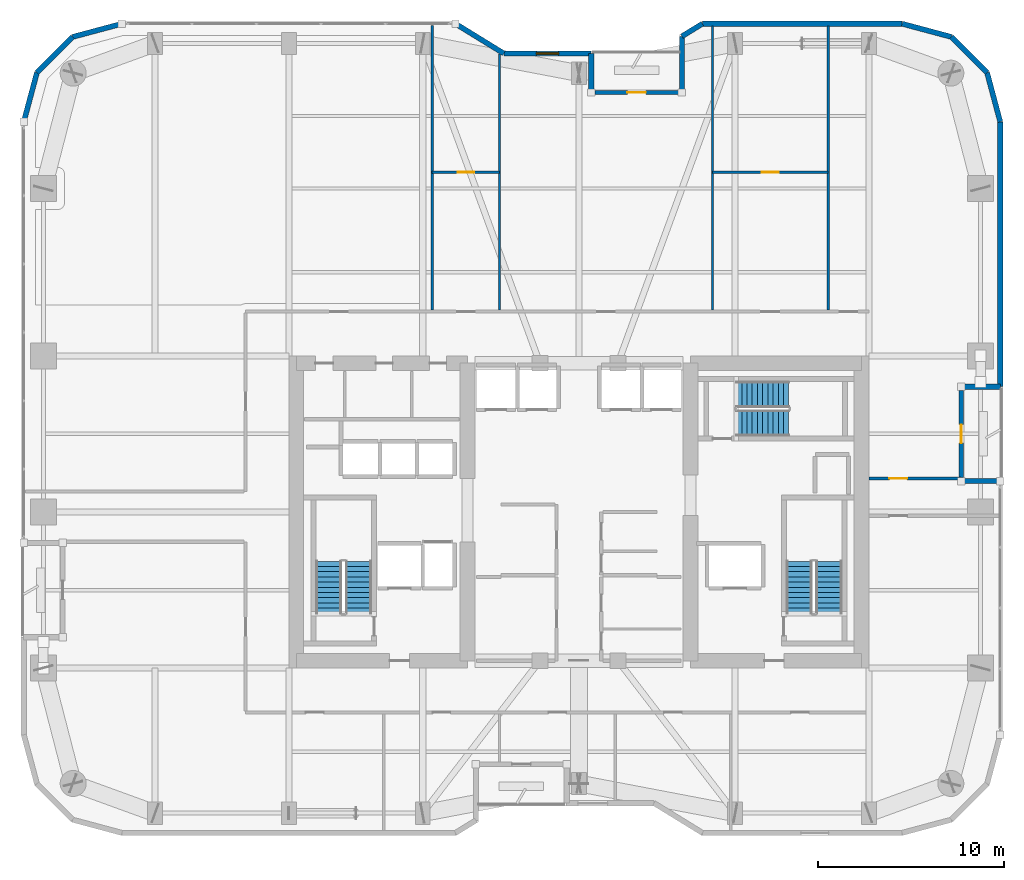
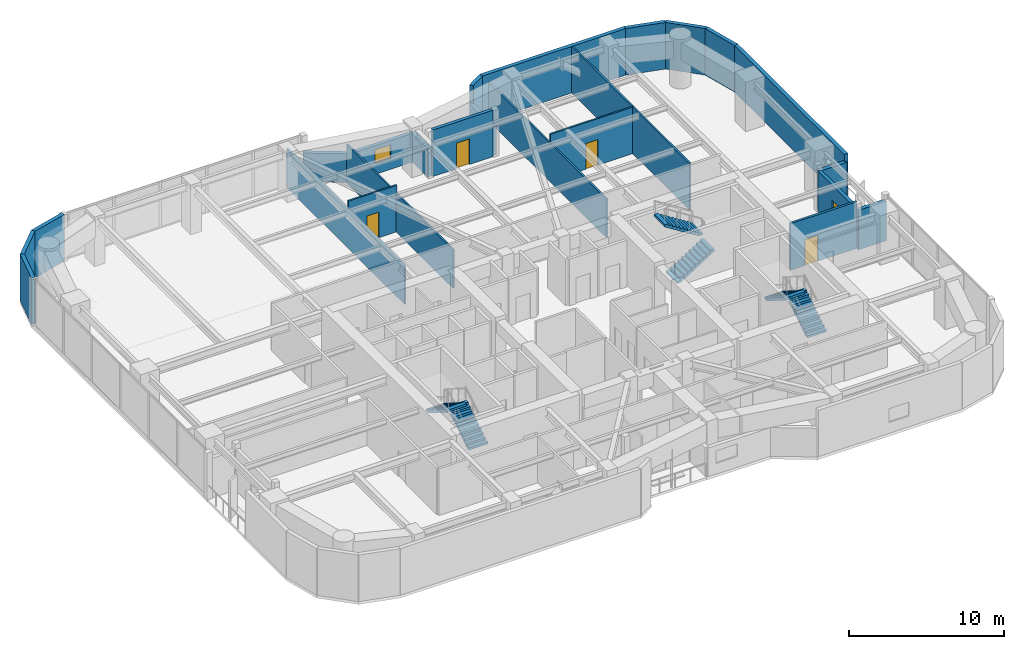
# One storey, part 27 of 30: 24 walls, 6 stair flights, 5 doors, 1 window, 6 openings, 3 elements without a shape of their own.
"""IFC4 building model written with IfcOpenShell, lengths in metres."""

from ifc_helpers import new_model, si_unit, direction, frame, frame_2d, origin, place, context, subcontext, project, spatial, polyline, rectangle, outline, extrude, material, layer, layer_set, type_object, element, fill, aggregate, save


model = new_model("IFC4")

# Units and contexts
model_context = context("Model", 3, precision=1e-05, world=origin(), true_north=direction((0.0, 1.0)))
body_context = subcontext(model_context, "Body", "Model", "MODEL_VIEW")
ifc_project = project(units=[si_unit("LENGTHUNIT", "METRE"), si_unit("AREAUNIT", "SQUARE_METRE"), si_unit("VOLUMEUNIT", "CUBIC_METRE"), si_unit("PLANEANGLEUNIT", "RADIAN"), si_unit("MASSUNIT", "GRAM", prefix="KILO")], contexts=[model_context])

# Site, building, storey
site_placement = place(None, origin())
site = spatial("IfcSite", under=ifc_project, at=site_placement, CompositionType="ELEMENT")
building_placement = place(site_placement, origin())
building = spatial("IfcBuilding", under=site, at=building_placement, Name="Kiyonajd Concourse Tower", CompositionType="ELEMENT")
storey_placement = place(building_placement, frame((0.0, 0.0, 150.60009765625)))
storey = spatial("IfcBuildingStorey", under=building, at=storey_placement, Name="L38", CompositionType="ELEMENT", Elevation=150.60009765625)

# Walls
ifc_material_1 = material(Name="Precast concrete C50/60", Category="concrete")
ifc_layer_1 = layer(ifc_material_1, 0.280029296875)
ifc_layer_set_1 = layer_set([ifc_layer_1], Name="Precast concrete C50/60")
wall_type_1 = type_object("IfcWallType", Name="WL-EXT-280", PredefinedType="SOLIDWALL", material=ifc_layer_set_1)
wall_1_placement = place(storey_placement, frame((18.139892578125, 56.981689453125, 0.0), z_axis=(0.0, 0.0, 1.0), x_axis=(0.258672222976, 0.9659651552, 0.0)))
element("IfcWall", 1, at=wall_1_placement, inside=storey, type_object=wall_type_1, Name="L38 Exterior Concrete Frame Wall 06", PredefinedType="SOLIDWALL", context=body_context, shape_type="SweptSolid", body=[
    extrude(rectangle(XDim=2.739013671875, YDim=0.280029296875, at=frame_2d((1.36962890625, 0.0))), origin(), (0.0, 0.0, 1.0), 3.679931640625),
])
wall_2_placement = place(storey_placement, frame((18.848388671875, 59.62744140625, 0.0), z_axis=(0.0, 0.0, 1.0), x_axis=(0.707106781187, 0.707106781187, 0.0)))
element("IfcWall", 2, at=wall_2_placement, inside=storey, type_object=wall_type_1, Name="L38 Exterior Concrete Frame Wall 07", PredefinedType="SOLIDWALL", context=body_context, shape_type="SweptSolid", body=[
    extrude(rectangle(XDim=2.720947265625, YDim=0.280029296875, at=frame_2d((1.3603515625, 0.0))), origin(), (0.0, 0.0, 1.0), 3.679931640625),
])
wall_3_placement = place(storey_placement, frame((20.7724609375, 61.551513671875, 0.0), z_axis=(0.0, 0.0, 1.0), x_axis=(0.965971118627, 0.258649952598, 0.0)))
element("IfcWall", 3, at=wall_3_placement, inside=storey, type_object=wall_type_1, Name="L38 Exterior Concrete Frame Wall 08", PredefinedType="SOLIDWALL", context=body_context, shape_type="SweptSolid", body=[
    extrude(rectangle(XDim=2.7392578125, YDim=0.280029296875, at=frame_2d((1.36962890625, 0.0))), origin(), (0.0, 0.0, 1.0), 3.679931640625),
])
wall_4_placement = place(storey_placement, frame((41.3603515625, 62.260009765625, 0.0), z_axis=(0.0, 0.0, 1.0), x_axis=(0.851652825334, -0.524106349037, 0.0)))
element("IfcWall", 4, at=wall_4_placement, inside=storey, type_object=wall_type_1, Name="L38 Exterior Concrete Frame Wall 10", PredefinedType="SOLIDWALL", context=body_context, shape_type="SweptSolid", body=[
    extrude(rectangle(XDim=3.052978515625, YDim=0.280029296875, at=frame_2d((1.5263671875, 0.0))), origin(), (0.0, 0.0, 1.0), 2.264892578125),
])

# Wall, opening, window
wall_5_placement = place(storey_placement, frame((43.96044921875, 60.659912109375, 0.0), z_axis=(0.0, 0.0, 1.0), x_axis=(1.0, 0.0, 0.0)))
wall_5 = element("IfcWall", 5, at=wall_5_placement, inside=storey, type_object=wall_type_1, Name="L38 Exterior Concrete Frame Wall 11", PredefinedType="SOLIDWALL", context=body_context, shape_type="SweptSolid", body=[
    extrude(rectangle(XDim=4.699462890625, YDim=0.280029296875, at=frame_2d((2.349609375, 0.0))), origin(), (0.0, 0.0, 1.0), 2.264892578125),
])
opening_1_placement = place(wall_5_placement, frame((1.75, 0.0, 0.85009765625)))
opening_1 = element("IfcOpeningElement", 6, at=opening_1_placement, cuts=wall_5, Name="Opening WN3", PredefinedType="OPENING", context=body_context, shape_type="SweptSolid", body=[
    extrude(rectangle(XDim=1.199951171875, YDim=1.10009765625, at=frame_2d((0.60009765625, 0.550048828125))), frame((0.0, 0.14990234375, 0.0), z_axis=(0.0, -1.0, 0.0), x_axis=(1.0, 0.0, 0.0)), (0.0, 0.0, 1.0), 0.300048828125),
])
ifc_material_2 = material(Name="Double Low-E Insulated Glass", Category="glass")
window_type = type_object("IfcWindowType", Name="WN-VIS-1200x1100", PartitioningType="SINGLE_PANEL", PredefinedType="WINDOW", material=ifc_material_2)
window_placement = place(opening_1_placement, origin())
window = element("IfcWindow", 7, at=window_placement, inside=storey, type_object=window_type, Name="L38 Modular Facade Vision Window 11", OverallHeight=1.10009765625, OverallWidth=1.199951171875, PartitioningType="SINGLE_PANEL", PredefinedType="WINDOW", context=body_context, shape_type="SweptSolid", body=[
    extrude(rectangle(XDim=1.199951171875, YDim=1.10009765625, at=frame_2d((0.60009765625, 0.550048828125))), frame((0.0, 0.030029296875, 0.0), z_axis=(0.0, -1.0, 0.0), x_axis=(1.0, 0.0, 0.0)), (0.0, 0.0, 1.0), 0.06005859375),
])
fill(opening_1, window)

# Walls
wall_6_placement = place(storey_placement, frame((48.659912109375, 60.659912109375, 0.0), z_axis=(0.0, 0.0, 1.0), x_axis=(0.0, -1.0, 0.0)))
element("IfcWall", 8, at=wall_6_placement, inside=storey, type_object=wall_type_1, Name="L38 Exterior Concrete Frame Wall 12", PredefinedType="SOLIDWALL", context=body_context, shape_type="SweptSolid", body=[
    extrude(rectangle(XDim=2.099853515625, YDim=0.280029296875, at=frame_2d((1.0498046875, 0.0))), origin(), (0.0, 0.0, 1.0), 2.264892578125),
])
wall_7_placement = place(storey_placement, frame((53.5400390625, 58.56005859375, 0.0), z_axis=(0.0, 0.0, 1.0), x_axis=(0.0, 1.0, 0.0)))
element("IfcWall", 9, at=wall_7_placement, inside=storey, type_object=wall_type_1, Name="L38 Exterior Concrete Frame Wall 14", PredefinedType="SOLIDWALL", context=body_context, shape_type="SweptSolid", body=[
    extrude(rectangle(XDim=3.023681640625, YDim=0.280029296875, at=frame_2d((1.51171875, 0.0))), origin(), (0.0, 0.0, 1.0), 2.264892578125),
])
wall_8_placement = place(storey_placement, frame((53.5400390625, 61.583740234375, 0.0), z_axis=(0.0, 0.0, 1.0), x_axis=(0.851801140441, 0.523865266212, 0.0)))
element("IfcWall", 10, at=wall_8_placement, inside=storey, type_object=wall_type_1, Name="L38 Exterior Concrete Frame Wall 15", PredefinedType="SOLIDWALL", context=body_context, shape_type="SweptSolid", body=[
    extrude(rectangle(XDim=1.291015625, YDim=0.280029296875, at=frame_2d((0.6455078125, 0.0))), origin(), (0.0, 0.0, 1.0), 3.679931640625),
])
wall_9_placement = place(storey_placement, frame((54.6396484375, 62.260009765625, 0.0), z_axis=(0.0, 0.0, 1.0), x_axis=(1.0, 0.0, 0.0)))
element("IfcWall", 11, at=wall_9_placement, inside=storey, type_object=wall_type_1, Name="L38 Exterior Concrete Frame Wall 16", PredefinedType="SOLIDWALL", context=body_context, shape_type="SweptSolid", body=[
    extrude(rectangle(XDim=10.741943359375, YDim=0.280029296875, at=frame_2d((5.37109375, 0.0))), origin(), (0.0, 0.0, 1.0), 3.679931640625),
])
wall_10_placement = place(storey_placement, frame((65.381591796875, 62.260009765625, 0.0), z_axis=(0.0, 0.0, 1.0), x_axis=(0.965971118627, -0.258649952598, 0.0)))
element("IfcWall", 12, at=wall_10_placement, inside=storey, type_object=wall_type_1, Name="L38 Exterior Concrete Frame Wall 17", PredefinedType="SOLIDWALL", context=body_context, shape_type="SweptSolid", body=[
    extrude(rectangle(XDim=2.7392578125, YDim=0.280029296875, at=frame_2d((1.36962890625, 0.0))), origin(), (0.0, 0.0, 1.0), 3.679931640625),
])
wall_11_placement = place(storey_placement, frame((68.027587890625, 61.551513671875, 0.0), z_axis=(0.0, 0.0, 1.0), x_axis=(0.707061915429, -0.707151644098, 0.0)))
element("IfcWall", 13, at=wall_11_placement, inside=storey, type_object=wall_type_1, Name="L38 Exterior Concrete Frame Wall 18", PredefinedType="SOLIDWALL", context=body_context, shape_type="SweptSolid", body=[
    extrude(rectangle(XDim=2.720947265625, YDim=0.280029296875, at=frame_2d((1.3603515625, 0.0))), origin(), (0.0, 0.0, 1.0), 3.679931640625),
])
wall_12_placement = place(storey_placement, frame((69.951416015625, 59.62744140625, 0.0), z_axis=(0.0, 0.0, 1.0), x_axis=(0.258672222976, -0.9659651552, 0.0)))
element("IfcWall", 14, at=wall_12_placement, inside=storey, type_object=wall_type_1, Name="L38 Exterior Concrete Frame Wall 19", PredefinedType="SOLIDWALL", context=body_context, shape_type="SweptSolid", body=[
    extrude(rectangle(XDim=2.739013671875, YDim=0.280029296875, at=frame_2d((1.36962890625, 0.0))), origin(), (0.0, 0.0, 1.0), 3.679931640625),
])
wall_13_placement = place(storey_placement, frame((70.659912109375, 56.981689453125, 0.0), z_axis=(0.0, 0.0, 1.0), x_axis=(0.0, -1.0, 0.0)))
element("IfcWall", 15, at=wall_13_placement, inside=storey, type_object=wall_type_1, Name="L38 Exterior Concrete Frame Wall 20", PredefinedType="SOLIDWALL", context=body_context, shape_type="SweptSolid", body=[
    extrude(rectangle(XDim=14.24169921875, YDim=0.280029296875, at=frame_2d((7.120849609375, 0.0))), origin(), (0.0, 0.0, 1.0), 3.679931640625),
])
for number, where, z_axis, x_axis, name in (
    (16, (70.659912109375, 42.739990234375, 0.0), (0.0, 0.0, 1.0), (-1.0, 0.0, 0.0), "L38 Exterior Concrete Frame Wall 21"),
    (17, (68.56005859375, 37.659912109375, 0.0), (0.0, 0.0, 1.0), (1.0, 0.0, 0.0), "L38 Exterior Concrete Frame Wall 23"),
):
    element("IfcWall", number, at=place(storey_placement, frame(where, z_axis=z_axis, x_axis=x_axis)), inside=storey, type_object=wall_type_1, Name=name, PredefinedType="SOLIDWALL", context=body_context, shape_type="SweptSolid", body=[
        extrude(rectangle(XDim=2.099853515625, YDim=0.280029296875, at=frame_2d((1.0498046875, 0.0))), origin(), (0.0, 0.0, 1.0), 3.115966796875),
    ])

# Wall, opening, door
ifc_layer_2 = layer(ifc_material_1, 0.239990234375)
ifc_layer_set_2 = layer_set([ifc_layer_2], Name="Precast concrete C50/60")
wall_type_2 = type_object("IfcWallType", Name="WL-LOG-240", PredefinedType="SOLIDWALL", material=ifc_layer_set_2)
wall_14_placement = place(storey_placement, frame((48.85498046875, 58.56005859375, 0.0), z_axis=(0.0, 0.0, 1.0), x_axis=(1.0, 0.0, 0.0)))
wall_14 = element("IfcWall", 18, at=wall_14_placement, inside=storey, type_object=wall_type_2, Name="L38 Recessed Loggia Thermal Wall LOG-N", PredefinedType="SOLIDWALL", context=body_context, shape_type="SweptSolid", body=[
    extrude(rectangle(XDim=4.489990234375, YDim=0.239990234375, at=frame_2d((2.2451171875, 0.0))), origin(), (0.0, 0.0, 1.0), 3.679931640625),
])
opening_2_placement = place(wall_14_placement, frame((1.7451171875, 0.0, 0.0)))
opening_2 = element("IfcOpeningElement", 19, at=opening_2_placement, cuts=wall_14, Name="Opening DL1", PredefinedType="OPENING", context=body_context, shape_type="SweptSolid", body=[
    extrude(rectangle(XDim=1.0, YDim=2.02001953125, at=frame_2d((0.5, 1.010009765625))), frame((0.0, 0.1298828125, 0.0), z_axis=(0.0, -1.0, 0.0), x_axis=(1.0, 0.0, 0.0)), (0.0, 0.0, 1.0), 0.260009765625),
])
ifc_material_3 = material(Name="Thermally Broken Anodised Aluminium", Category="aluminium")
door_type_1 = type_object("IfcDoorType", Name="DR-LOG-1000", OperationType="NOTDEFINED", PredefinedType="DOOR", material=ifc_material_3)
door_1_placement = place(opening_2_placement, origin())
door_1 = element("IfcDoor", 20, at=door_1_placement, inside=storey, type_object=door_type_1, Name="L38 Engawa Loggia Access Door LOG-N", OperationType="SINGLE_SWING_RIGHT", OverallHeight=2.02001953125, OverallWidth=1.0, PredefinedType="DOOR", context=body_context, shape_type="SweptSolid", body=[
    extrude(rectangle(XDim=1.0, YDim=2.02001953125, at=frame_2d((0.5, 1.010009765625))), frame((0.0, 0.02490234375, 0.0), z_axis=(0.0, -1.0, 0.0), x_axis=(1.0, 0.0, 0.0)), (0.0, 0.0, 1.0), 0.050048828125),
])
fill(opening_2, door_1)

wall_15_placement = place(storey_placement, frame((68.56005859375, 42.544921875, 0.0), z_axis=(0.0, 0.0, 1.0), x_axis=(0.0, -1.0, 0.0)))
wall_15 = element("IfcWall", 21, at=wall_15_placement, inside=storey, type_object=wall_type_2, Name="L38 Recessed Loggia Thermal Wall LOG-E", PredefinedType="SOLIDWALL", context=body_context, shape_type="SweptSolid", body=[
    extrude(rectangle(XDim=4.68994140625, YDim=0.239990234375, at=frame_2d((2.344970703125, 0.0))), origin(), (0.0, 0.0, 1.0), 3.247802734375),
])
opening_3_placement = place(wall_15_placement, frame((1.844970703125, 0.0, 0.0)))
opening_3 = element("IfcOpeningElement", 22, at=opening_3_placement, cuts=wall_15, Name="Opening DL1", PredefinedType="OPENING", context=body_context, shape_type="SweptSolid", body=[
    extrude(rectangle(XDim=1.0, YDim=2.02001953125, at=frame_2d((0.5, 1.010009765625))), frame((0.0, 0.1298828125, 0.0), z_axis=(0.0, -1.0, 0.0), x_axis=(1.0, 0.0, 0.0)), (0.0, 0.0, 1.0), 0.260009765625),
])
door_2_placement = place(opening_3_placement, origin())
door_2 = element("IfcDoor", 23, at=door_2_placement, inside=storey, type_object=door_type_1, Name="L38 Engawa Loggia Access Door LOG-E", OperationType="SINGLE_SWING_LEFT", OverallHeight=2.02001953125, OverallWidth=1.0, PredefinedType="DOOR", context=body_context, shape_type="SweptSolid", body=[
    extrude(rectangle(XDim=1.0, YDim=2.02001953125, at=frame_2d((0.5, 1.010009765625))), frame((0.0, 0.02490234375, 0.0), z_axis=(0.0, -1.0, 0.0), x_axis=(1.0, 0.0, 0.0)), (0.0, 0.0, 1.0), 0.050048828125),
])
fill(opening_3, door_2)

ifc_material_4 = material(Name="Gypsum Board on Cold-Formed Steel Stud", Category="steel")
ifc_layer_3 = layer(ifc_material_4, 0.125)
ifc_layer_set_3 = layer_set([ifc_layer_3], Name="Gypsum Board on Cold-Formed Steel Stud")
wall_type_3 = type_object("IfcWallType", Name="WL-PART-125", PredefinedType="PARTITIONING", material=ifc_layer_set_3)
wall_16_placement = place(storey_placement, frame((40.110107421875, 54.280029296875, 0.0), z_axis=(0.0, 0.0, 1.0), x_axis=(1.0, 0.0, 0.0)))
wall_16 = element("IfcWall", 24, at=wall_16_placement, inside=storey, type_object=wall_type_3, Name="L38 Interior Partition Wall", PredefinedType="PARTITIONING", context=body_context, shape_type="SweptSolid", body=[
    extrude(rectangle(XDim=3.619873046875, YDim=0.125, at=frame_2d((1.81005859375, 0.0))), origin(), (0.0, 0.0, 1.0), 3.679931640625),
])
opening_4_placement = place(wall_16_placement, frame((1.360107421875, 0.0, 0.0)))
opening_4 = element("IfcOpeningElement", 25, at=opening_4_placement, cuts=wall_16, Name="Opening DI2", PredefinedType="OPENING", context=body_context, shape_type="SweptSolid", body=[
    extrude(rectangle(XDim=0.89990234375, YDim=2.02001953125, at=frame_2d((0.449951171875, 1.010009765625))), frame((0.0, 0.072509765625, 0.0), z_axis=(0.0, -1.0, 0.0), x_axis=(1.0, 0.0, 0.0)), (0.0, 0.0, 1.0), 0.14501953125),
])
ifc_material_5 = material(Name="Natural Oak Acoustic Timber Veneer", Category="wood")
door_type_2 = type_object("IfcDoorType", Name="DR-INT-900", OperationType="NOTDEFINED", PredefinedType="DOOR", material=ifc_material_5)
door_3_placement = place(opening_4_placement, origin())
door_3 = element("IfcDoor", 26, at=door_3_placement, inside=storey, type_object=door_type_2, Name="L38 Interior Door", OperationType="SINGLE_SWING_LEFT", OverallHeight=2.02001953125, OverallWidth=0.89990234375, PredefinedType="DOOR", context=body_context, shape_type="SweptSolid", body=[
    extrude(rectangle(XDim=0.89990234375, YDim=2.02001953125, at=frame_2d((0.449951171875, 1.010009765625))), frame((0.0, 0.02490234375, 0.0), z_axis=(0.0, -1.0, 0.0), x_axis=(1.0, 0.0, 0.0)), (0.0, 0.0, 1.0), 0.050048828125),
])
fill(opening_4, door_3)

# Walls
wall_17_placement = place(storey_placement, frame((40.110107421875, 46.866943359375, 0.0), z_axis=(0.0, 0.0, 1.0), x_axis=(0.0, 1.0, 0.0)))
element("IfcWall", 27, at=wall_17_placement, inside=storey, type_object=wall_type_3, Name="L38 Interior Partition Wall", PredefinedType="PARTITIONING", context=body_context, shape_type="SweptSolid", body=[
    extrude(rectangle(XDim=15.298095703125, YDim=0.125, at=frame_2d((7.64892578125, 0.0))), origin(), (0.0, 0.0, 1.0), 3.04296875),
])
wall_18_placement = place(storey_placement, frame((43.72998046875, 46.866943359375, 0.0), z_axis=(0.0, 0.0, 1.0), x_axis=(0.0, 1.0, 0.0)))
element("IfcWall", 28, at=wall_18_placement, inside=storey, type_object=wall_type_3, Name="L38 Interior Partition Wall", PredefinedType="PARTITIONING", context=body_context, shape_type="SweptSolid", body=[
    extrude(rectangle(XDim=13.76611328125, YDim=0.125, at=frame_2d((6.883056640625, 0.0))), origin(), (0.0, 0.0, 1.0), 3.04296875),
])

# Wall, opening, door
wall_19_placement = place(storey_placement, frame((55.179931640625, 54.280029296875, 0.0), z_axis=(0.0, 0.0, 1.0), x_axis=(1.0, 0.0, 0.0)))
wall_19 = element("IfcWall", 29, at=wall_19_placement, inside=storey, type_object=wall_type_3, Name="L38 Interior Partition Wall", PredefinedType="PARTITIONING", context=body_context, shape_type="SweptSolid", body=[
    extrude(rectangle(XDim=6.219970703125, YDim=0.125, at=frame_2d((3.10986328125, 0.0))), origin(), (0.0, 0.0, 1.0), 3.679931640625),
])
opening_5_placement = place(wall_19_placement, frame((2.659912109375, 0.0, 0.0)))
opening_5 = element("IfcOpeningElement", 30, at=opening_5_placement, cuts=wall_19, Name="Opening DI2", PredefinedType="OPENING", context=body_context, shape_type="SweptSolid", body=[
    extrude(rectangle(XDim=0.89990234375, YDim=2.02001953125, at=frame_2d((0.449951171875, 1.010009765625))), frame((0.0, 0.072509765625, 0.0), z_axis=(0.0, -1.0, 0.0), x_axis=(1.0, 0.0, 0.0)), (0.0, 0.0, 1.0), 0.14501953125),
])
door_4_placement = place(opening_5_placement, origin())
door_4 = element("IfcDoor", 31, at=door_4_placement, inside=storey, type_object=door_type_2, Name="L38 Interior Door", OperationType="SINGLE_SWING_RIGHT", OverallHeight=2.02001953125, OverallWidth=0.89990234375, PredefinedType="DOOR", context=body_context, shape_type="SweptSolid", body=[
    extrude(rectangle(XDim=0.89990234375, YDim=2.02001953125, at=frame_2d((0.449951171875, 1.010009765625))), frame((0.0, 0.02490234375, 0.0), z_axis=(0.0, -1.0, 0.0), x_axis=(1.0, 0.0, 0.0)), (0.0, 0.0, 1.0), 0.050048828125),
])
fill(opening_5, door_4)

# Walls
wall_20_placement = place(storey_placement, frame((55.179931640625, 46.866943359375, 0.0), z_axis=(0.0, 0.0, 1.0), x_axis=(0.0, 1.0, 0.0)))
element("IfcWall", 32, at=wall_20_placement, inside=storey, type_object=wall_type_3, Name="L38 Interior Partition Wall", PredefinedType="PARTITIONING", context=body_context, shape_type="SweptSolid", body=[
    extrude(rectangle(XDim=15.258056640625, YDim=0.125, at=frame_2d((7.62890625, 0.0))), origin(), (0.0, 0.0, 1.0), 3.04296875),
])
wall_21_placement = place(storey_placement, frame((61.39990234375, 46.866943359375, 0.0), z_axis=(0.0, 0.0, 1.0), x_axis=(0.0, 1.0, 0.0)))
element("IfcWall", 33, at=wall_21_placement, inside=storey, type_object=wall_type_3, Name="L38 Interior Partition Wall", PredefinedType="PARTITIONING", context=body_context, shape_type="SweptSolid", body=[
    extrude(rectangle(XDim=15.258056640625, YDim=0.125, at=frame_2d((7.62890625, 0.0))), origin(), (0.0, 0.0, 1.0), 3.679931640625),
])

# Wall, opening, door
ifc_layer_4 = layer(ifc_material_4, 0.169921875)
ifc_layer_set_4 = layer_set([ifc_layer_4], Name="Gypsum Board on Cold-Formed Steel Stud")
wall_type_4 = type_object("IfcWallType", Name="WL-SMK-170", PredefinedType="PARTITIONING", material=ifc_layer_set_4)
wall_22_placement = place(storey_placement, frame((63.60009765625, 37.800048828125, 0.0), z_axis=(0.0, 0.0, 1.0), x_axis=(1.0, 0.0, 0.0)))
wall_22 = element("IfcWall", 34, at=wall_22_placement, inside=storey, type_object=wall_type_4, Name="L38 Interior Partition Wall", PredefinedType="PARTITIONING", context=body_context, shape_type="SweptSolid", body=[
    extrude(rectangle(XDim=4.9599609375, YDim=0.169921875, at=frame_2d((2.47998046875, 0.0))), origin(), (0.0, 0.0, 1.0), 3.679931640625),
])
opening_6_placement = place(wall_22_placement, frame((1.10009765625, 0.0, 0.0)))
opening_6 = element("IfcOpeningElement", 35, at=opening_6_placement, cuts=wall_22, Name="Opening DI1", PredefinedType="OPENING", context=body_context, shape_type="SweptSolid", body=[
    extrude(rectangle(XDim=0.949951171875, YDim=2.0400390625, at=frame_2d((0.47509765625, 1.02001953125))), frame((0.0, 0.094970703125, 0.0), z_axis=(0.0, -1.0, 0.0), x_axis=(1.0, 0.0, 0.0)), (0.0, 0.0, 1.0), 0.18994140625),
])
door_type_3 = type_object("IfcDoorType", Name="DR-INT-950", OperationType="NOTDEFINED", PredefinedType="DOOR", material=ifc_material_5)
door_5_placement = place(opening_6_placement, origin())
door_5 = element("IfcDoor", 36, at=door_5_placement, inside=storey, type_object=door_type_3, Name="L38 Interior Door", OperationType="SINGLE_SWING_RIGHT", OverallHeight=2.0400390625, OverallWidth=0.949951171875, PredefinedType="DOOR", context=body_context, shape_type="SweptSolid", body=[
    extrude(rectangle(XDim=0.949951171875, YDim=2.0400390625, at=frame_2d((0.47509765625, 1.02001953125))), frame((0.0, 0.02490234375, 0.0), z_axis=(0.0, -1.0, 0.0), x_axis=(1.0, 0.0, 0.0)), (0.0, 0.0, 1.0), 0.050048828125),
])
fill(opening_6, door_5)

# Stair, stair flights
ifc_material_6 = material(Name="Concrete C40/50", Category="concrete")
stair_type = type_object("IfcStairType", Name="ST-DLG-22R", PredefinedType="HALF_TURN_STAIR", material=ifc_material_6)
stair_1_placement = place(storey_placement, origin())
stair_1 = element("IfcStair", 37, at=stair_1_placement, inside=storey, type_object=stair_type, Name="L38 Protected Exit Stair ST1", PredefinedType="HALF_TURN_STAIR")
stair_flight_type = type_object("IfcStairFlightType", Name="SF-STR-22R", PredefinedType="STRAIGHT", material=ifc_material_6)
stair_flight_1_placement = place(storey_placement, frame((36.14990234375, 30.550048828125, 0.0), z_axis=(0.0, 0.0, 1.0), x_axis=(0.0, 1.0, 0.0)))
stair_flight_1 = element("IfcStairFlight", 38, at=stair_flight_1_placement, type_object=stair_flight_type, Name="ST1 flight 1", NumberOfRisers=11, NumberOfTreads=10, PredefinedType="STRAIGHT", RiserHeight=0.177272727, TreadLength=0.28, context=body_context, shape_type="SweptSolid", body=[
    extrude(outline(polyline([(0.0, 0.0), (0.0, 0.17724609375), (0.280029296875, 0.17724609375), (0.280029296875, 0.3544921875), (0.56005859375, 0.3544921875), (0.56005859375, 0.53173828125), (0.840087890625, 0.53173828125), (0.840087890625, 0.708984375), (1.1201171875, 0.708984375), (1.1201171875, 0.886474609375), (1.39990234375, 0.886474609375), (1.39990234375, 1.063720703125), (1.679931640625, 1.063720703125), (1.679931640625, 1.240966796875), (1.9599609375, 1.240966796875), (1.9599609375, 1.418212890625), (2.239990234375, 1.418212890625), (2.239990234375, 1.595458984375), (2.52001953125, 1.595458984375), (2.52001953125, 1.772705078125), (2.800048828125, 1.772705078125), (2.800048828125, 1.949951171875), (2.800048828125, 1.59521484375), (0.2802734375, 0.0), (0.0, 0.0)])), frame((0.0, 0.699951171875, 0.0), z_axis=(0.0, -1.0, 0.0), x_axis=(1.0, 0.0, 0.0)), (0.0, 0.0, 1.0), 1.39990234375),
])
stair_flight_2_placement = place(storey_placement, frame((34.550048828125, 33.35009765625, 1.949951171875), z_axis=(0.0, 0.0, 1.0), x_axis=(0.0, -1.0, 0.0)))
stair_flight_2 = element("IfcStairFlight", 39, at=stair_flight_2_placement, type_object=stair_flight_type, Name="ST1 flight 2", NumberOfRisers=11, NumberOfTreads=10, PredefinedType="STRAIGHT", RiserHeight=0.177272727, TreadLength=0.28, context=body_context, shape_type="SweptSolid", body=[
    extrude(outline(polyline([(0.0, 0.0), (0.0, 0.17724609375), (0.280029296875, 0.17724609375), (0.280029296875, 0.3544921875), (0.56005859375, 0.3544921875), (0.56005859375, 0.53173828125), (0.840087890625, 0.53173828125), (0.840087890625, 0.708984375), (1.1201171875, 0.708984375), (1.1201171875, 0.886474609375), (1.39990234375, 0.886474609375), (1.39990234375, 1.063720703125), (1.679931640625, 1.063720703125), (1.679931640625, 1.240966796875), (1.9599609375, 1.240966796875), (1.9599609375, 1.418212890625), (2.239990234375, 1.418212890625), (2.239990234375, 1.595458984375), (2.52001953125, 1.595458984375), (2.52001953125, 1.772705078125), (2.800048828125, 1.772705078125), (2.800048828125, 1.949951171875), (2.800048828125, 1.59521484375), (0.2802734375, 0.0), (0.0, 0.0)])), frame((0.0, 0.699951171875, 0.0), z_axis=(0.0, -1.0, 0.0), x_axis=(1.0, 0.0, 0.0)), (0.0, 0.0, 1.0), 1.39990234375),
])
aggregate(stair_1, [stair_flight_1, stair_flight_2])

stair_2_placement = place(storey_placement, origin())
stair_2 = element("IfcStair", 40, at=stair_2_placement, inside=storey, type_object=stair_type, Name="L38 Protected Exit Stair ST2", PredefinedType="HALF_TURN_STAIR")
stair_flight_3_placement = place(storey_placement, frame((61.449951171875, 30.550048828125, 0.0), z_axis=(0.0, 0.0, 1.0), x_axis=(0.0, 1.0, 0.0)))
stair_flight_3 = element("IfcStairFlight", 41, at=stair_flight_3_placement, type_object=stair_flight_type, Name="ST2 flight 1", NumberOfRisers=11, NumberOfTreads=10, PredefinedType="STRAIGHT", RiserHeight=0.177272727, TreadLength=0.28, context=body_context, shape_type="SweptSolid", body=[
    extrude(outline(polyline([(0.0, 0.0), (0.0, 0.17724609375), (0.280029296875, 0.17724609375), (0.280029296875, 0.3544921875), (0.56005859375, 0.3544921875), (0.56005859375, 0.53173828125), (0.840087890625, 0.53173828125), (0.840087890625, 0.708984375), (1.1201171875, 0.708984375), (1.1201171875, 0.886474609375), (1.39990234375, 0.886474609375), (1.39990234375, 1.063720703125), (1.679931640625, 1.063720703125), (1.679931640625, 1.240966796875), (1.9599609375, 1.240966796875), (1.9599609375, 1.418212890625), (2.239990234375, 1.418212890625), (2.239990234375, 1.595458984375), (2.52001953125, 1.595458984375), (2.52001953125, 1.772705078125), (2.800048828125, 1.772705078125), (2.800048828125, 1.949951171875), (2.800048828125, 1.59521484375), (0.2802734375, 0.0), (0.0, 0.0)])), frame((0.0, 0.699951171875, 0.0), z_axis=(0.0, -1.0, 0.0), x_axis=(1.0, 0.0, 0.0)), (0.0, 0.0, 1.0), 1.39990234375),
])
stair_flight_4_placement = place(storey_placement, frame((59.85009765625, 33.35009765625, 1.949951171875), z_axis=(0.0, 0.0, 1.0), x_axis=(0.0, -1.0, 0.0)))
stair_flight_4 = element("IfcStairFlight", 42, at=stair_flight_4_placement, type_object=stair_flight_type, Name="ST2 flight 2", NumberOfRisers=11, NumberOfTreads=10, PredefinedType="STRAIGHT", RiserHeight=0.177272727, TreadLength=0.28, context=body_context, shape_type="SweptSolid", body=[
    extrude(outline(polyline([(0.0, 0.0), (0.0, 0.17724609375), (0.280029296875, 0.17724609375), (0.280029296875, 0.3544921875), (0.56005859375, 0.3544921875), (0.56005859375, 0.53173828125), (0.840087890625, 0.53173828125), (0.840087890625, 0.708984375), (1.1201171875, 0.708984375), (1.1201171875, 0.886474609375), (1.39990234375, 0.886474609375), (1.39990234375, 1.063720703125), (1.679931640625, 1.063720703125), (1.679931640625, 1.240966796875), (1.9599609375, 1.240966796875), (1.9599609375, 1.418212890625), (2.239990234375, 1.418212890625), (2.239990234375, 1.595458984375), (2.52001953125, 1.595458984375), (2.52001953125, 1.772705078125), (2.800048828125, 1.772705078125), (2.800048828125, 1.949951171875), (2.800048828125, 1.59521484375), (0.2802734375, 0.0), (0.0, 0.0)])), frame((0.0, 0.699951171875, 0.0), z_axis=(0.0, -1.0, 0.0), x_axis=(1.0, 0.0, 0.0)), (0.0, 0.0, 1.0), 1.39990234375),
])
aggregate(stair_2, [stair_flight_3, stair_flight_4])

stair_3_placement = place(storey_placement, origin())
stair_3 = element("IfcStair", 43, at=stair_3_placement, inside=storey, type_object=stair_type, Name="L38 Protected Exit Stair ST3", PredefinedType="HALF_TURN_STAIR")
stair_flight_5_placement = place(storey_placement, frame((56.47998046875, 40.780029296875, 0.0), z_axis=(0.0, 0.0, 1.0), x_axis=(1.0, 0.0, 0.0)))
stair_flight_5 = element("IfcStairFlight", 44, at=stair_flight_5_placement, type_object=stair_flight_type, Name="ST3 flight 1", NumberOfRisers=11, NumberOfTreads=10, PredefinedType="STRAIGHT", RiserHeight=0.177272727, TreadLength=0.28, context=body_context, shape_type="SweptSolid", body=[
    extrude(outline(polyline([(0.0, 0.0), (0.0, 0.17724609375), (0.280029296875, 0.17724609375), (0.280029296875, 0.3544921875), (0.56005859375, 0.3544921875), (0.56005859375, 0.53173828125), (0.840087890625, 0.53173828125), (0.840087890625, 0.708984375), (1.1201171875, 0.708984375), (1.1201171875, 0.886474609375), (1.39990234375, 0.886474609375), (1.39990234375, 1.063720703125), (1.679931640625, 1.063720703125), (1.679931640625, 1.240966796875), (1.9599609375, 1.240966796875), (1.9599609375, 1.418212890625), (2.239990234375, 1.418212890625), (2.239990234375, 1.595458984375), (2.52001953125, 1.595458984375), (2.52001953125, 1.772705078125), (2.800048828125, 1.772705078125), (2.800048828125, 1.949951171875), (2.800048828125, 1.59521484375), (0.2802734375, 0.0), (0.0, 0.0)])), frame((0.0, 0.699951171875, 0.0), z_axis=(0.0, -1.0, 0.0), x_axis=(1.0, 0.0, 0.0)), (0.0, 0.0, 1.0), 1.39990234375),
])
stair_flight_6_placement = place(storey_placement, frame((59.280029296875, 42.320068359375, 1.949951171875), z_axis=(0.0, 0.0, 1.0), x_axis=(-1.0, 0.0, 0.0)))
stair_flight_6 = element("IfcStairFlight", 45, at=stair_flight_6_placement, type_object=stair_flight_type, Name="ST3 flight 2", NumberOfRisers=11, NumberOfTreads=10, PredefinedType="STRAIGHT", RiserHeight=0.177272727, TreadLength=0.28, context=body_context, shape_type="SweptSolid", body=[
    extrude(outline(polyline([(0.0, 0.0), (0.0, 0.17724609375), (0.280029296875, 0.17724609375), (0.280029296875, 0.3544921875), (0.56005859375, 0.3544921875), (0.56005859375, 0.53173828125), (0.840087890625, 0.53173828125), (0.840087890625, 0.708984375), (1.1201171875, 0.708984375), (1.1201171875, 0.886474609375), (1.39990234375, 0.886474609375), (1.39990234375, 1.063720703125), (1.679931640625, 1.063720703125), (1.679931640625, 1.240966796875), (1.9599609375, 1.240966796875), (1.9599609375, 1.418212890625), (2.239990234375, 1.418212890625), (2.239990234375, 1.595458984375), (2.52001953125, 1.595458984375), (2.52001953125, 1.772705078125), (2.800048828125, 1.772705078125), (2.800048828125, 1.949951171875), (2.800048828125, 1.59521484375), (0.2802734375, 0.0), (0.0, 0.0)])), frame((0.0, 0.699951171875, 0.0), z_axis=(0.0, -1.0, 0.0), x_axis=(1.0, 0.0, 0.0)), (0.0, 0.0, 1.0), 1.39990234375),
])
aggregate(stair_3, [stair_flight_5, stair_flight_6])

save(model, "model.ifc")
